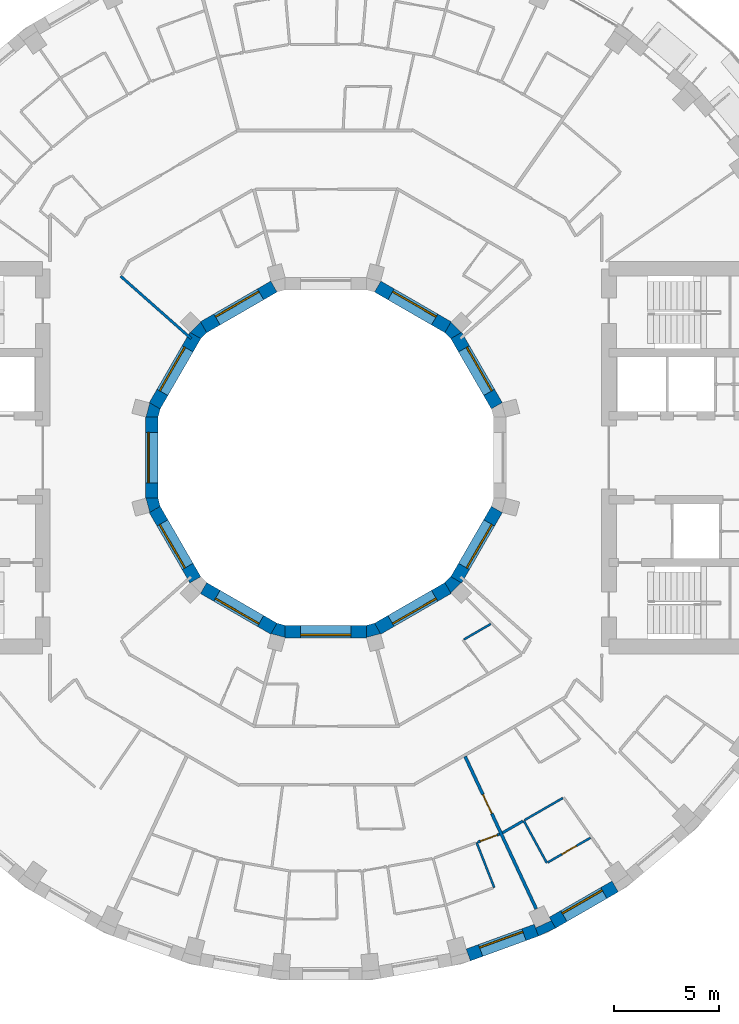
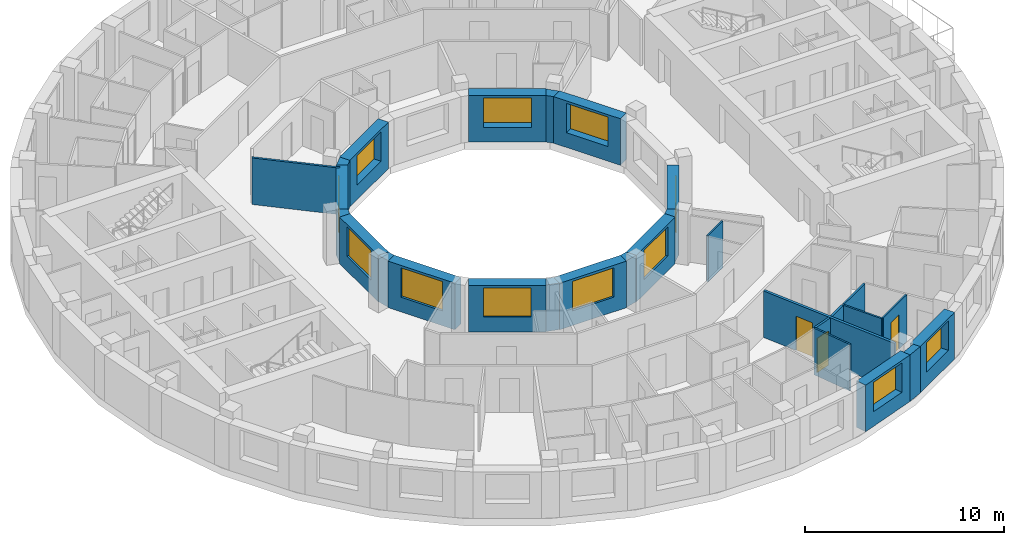
# One storey, part 7 of 15: 29 walls, 12 windows, 3 doors, 15 openings.
"""IFC4 building model written with IfcOpenShell, lengths in metres."""

from ifc_helpers import new_model, si_unit, direction, frame, frame_2d, origin, place, context, subcontext, project, spatial, polyline, rectangle, outline, extrude, material, layer, layer_set, type_object, element, fill, save


model = new_model("IFC4")

# Units and contexts
model_context = context("Model", 3, precision=1e-05, world=origin(), true_north=direction((0.0, 1.0)))
body_context = subcontext(model_context, "Body", "Model", "MODEL_VIEW")
ifc_project = project(units=[si_unit("LENGTHUNIT", "METRE"), si_unit("AREAUNIT", "SQUARE_METRE"), si_unit("VOLUMEUNIT", "CUBIC_METRE"), si_unit("PLANEANGLEUNIT", "RADIAN"), si_unit("MASSUNIT", "GRAM", prefix="KILO")], contexts=[model_context])

# Site, building, storey
site_placement = place(None, origin())
site = spatial("IfcSite", under=ifc_project, at=site_placement, CompositionType="ELEMENT")
building_placement = place(site_placement, origin())
building = spatial("IfcBuilding", under=site, at=building_placement, Name="Saqina Gate Tower", CompositionType="ELEMENT")
storey_placement = place(building_placement, frame((0.0, 0.0, 193.800048828125)))
storey = spatial("IfcBuildingStorey", under=building, at=storey_placement, Name="L55", CompositionType="ELEMENT", Elevation=193.800048828125)

# Wall
ifc_material_1 = material(Name="Brick masonry (buff)", Category="masonry")
wall_type_1 = type_object("IfcWallType", Name="BRICK PIER COPING BUFF", PredefinedType="SOLIDWALL", material=ifc_material_1)
wall_1_placement = place(storey_placement, origin())
element("IfcWall", 1, at=wall_1_placement, inside=storey, type_object=wall_type_1, Name="Pier cap L55 column 30", PredefinedType="SOLIDWALL", context=body_context, shape_type="SweptSolid", body=[
    extrude(outline(polyline([(10.958740234375, -22.4306640625), (10.65869140625, -21.9111328125), (10.73779296875, -22.080810546875), (10.0126953125, -22.4189453125), (9.93359375, -22.249267578125), (10.138916015625, -22.81298828125), (10.958740234375, -22.4306640625)])), origin(), (0.0, 0.0, 1.0), 2.849853515625),
])

# Wall, opening, window
ifc_material_2 = material(Name="Brick masonry (buff)", Category="masonry")
ifc_layer_1 = layer(ifc_material_2, 0.60009765625)
ifc_layer_set_1 = layer_set([ifc_layer_1], Name="FW-BRICK-BUFF")
wall_type_2 = type_object("IfcWallType", Name="FW-BRICK-BUFF", PredefinedType="SOLIDWALL", material=ifc_layer_set_1)
wall_2_placement = place(storey_placement, frame((6.79443359375, -23.7109375, 0.0), z_axis=(0.0, 0.0, 1.0), x_axis=(0.93968799822, 0.342032843455, 0.0)))
wall_2 = element("IfcWall", 2, at=wall_2_placement, inside=storey, type_object=wall_type_2, Name="Facade wall L55 facet 29", PredefinedType="SOLIDWALL", context=body_context, shape_type="SweptSolid", body=[
    extrude(rectangle(XDim=3.44970703125, YDim=0.60009765625, at=frame_2d((1.724853515625, 0.0))), origin(), (0.0, 0.0, 1.0), 2.849853515625),
])
opening_1_placement = place(wall_2_placement, frame((0.625, 0.0, 0.89990234375)))
opening_1 = element("IfcOpeningElement", 3, at=opening_1_placement, cuts=wall_2, Name="Opening G16-W18", PredefinedType="OPENING", context=body_context, shape_type="SweptSolid", body=[
    extrude(rectangle(XDim=2.199951171875, YDim=1.800048828125, at=frame_2d((1.10009765625, 0.89990234375))), frame((0.0, 0.31201171875, 0.0), z_axis=(0.0, -1.0, 0.0), x_axis=(1.0, 0.0, 0.0)), (0.0, 0.0, 1.0), 0.6240234375),
])
ifc_material_3 = material(Name="Aluminium glazing", Category="aluminium")
window_type_1 = type_object("IfcWindowType", Name="WN-C", PartitioningType="SINGLE_PANEL", PredefinedType="WINDOW", material=ifc_material_3)
window_1_placement = place(opening_1_placement, origin())
window_1 = element("IfcWindow", 4, at=window_1_placement, inside=storey, type_object=window_type_1, Name="Window L55 facet 29", OverallHeight=1.800048828125, OverallWidth=2.199951171875, PartitioningType="SINGLE_PANEL", PredefinedType="WINDOW", context=body_context, shape_type="SweptSolid", body=[
    extrude(rectangle(XDim=2.199951171875, YDim=1.800048828125, at=frame_2d((1.10009765625, 0.89990234375))), frame((0.0, 0.179931640625, 0.0), z_axis=(0.0, -1.0, 0.0), x_axis=(1.0, 0.0, 0.0)), (0.0, 0.0, 1.0), 0.06005859375),
])
fill(opening_1, window_1)

wall_3_placement = place(storey_placement, frame((10.80859375, -22.1708984375, 0.0), z_axis=(0.0, 0.0, 1.0), x_axis=(0.86602648383, 0.499998129301, 0.0)))
wall_3 = element("IfcWall", 5, at=wall_3_placement, inside=storey, type_object=wall_type_2, Name="Facade wall L55 facet 30", PredefinedType="SOLIDWALL", context=body_context, shape_type="SweptSolid", body=[
    extrude(rectangle(XDim=3.44970703125, YDim=0.60009765625, at=frame_2d((1.724853515625, 0.0))), origin(), (0.0, 0.0, 1.0), 2.849853515625),
])
opening_2_placement = place(wall_3_placement, frame((0.625, 0.0, 0.89990234375)))
opening_2 = element("IfcOpeningElement", 6, at=opening_2_placement, cuts=wall_3, Name="Opening G16-W19", PredefinedType="OPENING", context=body_context, shape_type="SweptSolid", body=[
    extrude(rectangle(XDim=2.199951171875, YDim=1.800048828125, at=frame_2d((1.10009765625, 0.89990234375))), frame((0.0, 0.31201171875, 0.0), z_axis=(0.0, -1.0, 0.0), x_axis=(1.0, 0.0, 0.0)), (0.0, 0.0, 1.0), 0.6240234375),
])
window_2_placement = place(opening_2_placement, origin())
window_2 = element("IfcWindow", 7, at=window_2_placement, inside=storey, type_object=window_type_1, Name="Window L55 facet 30", OverallHeight=1.800048828125, OverallWidth=2.199951171875, PartitioningType="SINGLE_PANEL", PredefinedType="WINDOW", context=body_context, shape_type="SweptSolid", body=[
    extrude(rectangle(XDim=2.199951171875, YDim=1.800048828125, at=frame_2d((1.10009765625, 0.89990234375))), frame((0.0, 0.179931640625, 0.0), z_axis=(0.0, -1.0, 0.0), x_axis=(1.0, 0.0, 0.0)), (0.0, 0.0, 1.0), 0.06005859375),
])
fill(opening_2, window_2)

ifc_material_4 = material(Name="Glazed ceramic tile", Category="ceramic")
ifc_layer_2 = layer(ifc_material_4, 0.60009765625)
ifc_layer_set_2 = layer_set([ifc_layer_2], Name="IW-TILE")
wall_type_3 = type_object("IfcWallType", Name="IW-TILE", PredefinedType="SOLIDWALL", material=ifc_layer_set_2)
wall_4_placement = place(storey_placement, frame((8.155517578125, 2.474365234375, 0.0), z_axis=(0.0, 0.0, 1.0), x_axis=(-0.500033728941, 0.866005929495, 0.0)))
wall_4 = element("IfcWall", 8, at=wall_4_placement, inside=storey, type_object=wall_type_3, Name="Well wall L55 facet 1", PredefinedType="SOLIDWALL", context=body_context, shape_type="SweptSolid", body=[
    extrude(rectangle(XDim=3.869873046875, YDim=0.60009765625, at=frame_2d((1.93505859375, 0.0))), origin(), (0.0, 0.0, 1.0), 2.849853515625),
])
opening_3_placement = place(wall_4_placement, frame((0.73486328125, 0.0, 0.89990234375)))
opening_3 = element("IfcOpeningElement", 9, at=opening_3_placement, cuts=wall_4, Name="Opening G16-W23", PredefinedType="OPENING", context=body_context, shape_type="SweptSolid", body=[
    extrude(rectangle(XDim=2.39990234375, YDim=1.800048828125, at=frame_2d((1.199951171875, 0.89990234375))), frame((0.0, 0.31201171875, 0.0), z_axis=(0.0, -1.0, 0.0), x_axis=(1.0, 0.0, 0.0)), (0.0, 0.0, 1.0), 0.6240234375),
])
ifc_material_5 = material(Name="Aluminium glazing", Category="aluminium")
window_type_2 = type_object("IfcWindowType", Name="WN-W", PartitioningType="SINGLE_PANEL", PredefinedType="WINDOW", material=ifc_material_5)
window_3_placement = place(opening_3_placement, origin())
window_3 = element("IfcWindow", 10, at=window_3_placement, inside=storey, type_object=window_type_2, Name="Well window L55 facet 1", OverallHeight=1.800048828125, OverallWidth=2.39990234375, PartitioningType="SINGLE_PANEL", PredefinedType="WINDOW", context=body_context, shape_type="SweptSolid", body=[
    extrude(rectangle(XDim=2.39990234375, YDim=1.800048828125, at=frame_2d((1.199951171875, 0.89990234375))), frame((0.0, -0.119873046875, 0.0), z_axis=(0.0, -1.0, 0.0), x_axis=(1.0, 0.0, 0.0)), (0.0, 0.0, 1.0), 0.06005859375),
])
fill(opening_3, window_3)

wall_5_placement = place(storey_placement, frame((5.82568359375, 6.220458984375, 0.0), z_axis=(0.0, 0.0, 1.0), x_axis=(-0.866005929495, 0.500033728941, 0.0)))
wall_5 = element("IfcWall", 11, at=wall_5_placement, inside=storey, type_object=wall_type_3, Name="Well wall L55 facet 2", PredefinedType="SOLIDWALL", context=body_context, shape_type="SweptSolid", body=[
    extrude(rectangle(XDim=3.869873046875, YDim=0.60009765625, at=frame_2d((1.93505859375, 0.0))), origin(), (0.0, 0.0, 1.0), 2.849853515625),
])
opening_4_placement = place(wall_5_placement, frame((0.73486328125, 0.0, 0.89990234375)))
opening_4 = element("IfcOpeningElement", 12, at=opening_4_placement, cuts=wall_5, Name="Opening G16-W24", PredefinedType="OPENING", context=body_context, shape_type="SweptSolid", body=[
    extrude(rectangle(XDim=2.39990234375, YDim=1.800048828125, at=frame_2d((1.199951171875, 0.89990234375))), frame((0.0, 0.31201171875, 0.0), z_axis=(0.0, -1.0, 0.0), x_axis=(1.0, 0.0, 0.0)), (0.0, 0.0, 1.0), 0.6240234375),
])
window_4_placement = place(opening_4_placement, origin())
window_4 = element("IfcWindow", 13, at=window_4_placement, inside=storey, type_object=window_type_2, Name="Well window L55 facet 2", OverallHeight=1.800048828125, OverallWidth=2.39990234375, PartitioningType="SINGLE_PANEL", PredefinedType="WINDOW", context=body_context, shape_type="SweptSolid", body=[
    extrude(rectangle(XDim=2.39990234375, YDim=1.800048828125, at=frame_2d((1.199951171875, 0.89990234375))), frame((0.0, -0.119873046875, 0.0), z_axis=(0.0, -1.0, 0.0), x_axis=(1.0, 0.0, 0.0)), (0.0, 0.0, 1.0), 0.06005859375),
])
fill(opening_4, window_4)

wall_6_placement = place(storey_placement, frame((-2.474365234375, 8.155517578125, 0.0), z_axis=(0.0, 0.0, 1.0), x_axis=(-0.866005929495, -0.500033728941, 0.0)))
wall_6 = element("IfcWall", 14, at=wall_6_placement, inside=storey, type_object=wall_type_3, Name="Well wall L55 facet 4", PredefinedType="SOLIDWALL", context=body_context, shape_type="SweptSolid", body=[
    extrude(rectangle(XDim=3.869873046875, YDim=0.60009765625, at=frame_2d((1.93505859375, 0.0))), origin(), (0.0, 0.0, 1.0), 2.849853515625),
])
opening_5_placement = place(wall_6_placement, frame((0.73486328125, 0.0, 0.89990234375)))
opening_5 = element("IfcOpeningElement", 15, at=opening_5_placement, cuts=wall_6, Name="Opening G16-W26", PredefinedType="OPENING", context=body_context, shape_type="SweptSolid", body=[
    extrude(rectangle(XDim=2.39990234375, YDim=1.800048828125, at=frame_2d((1.199951171875, 0.89990234375))), frame((0.0, 0.31201171875, 0.0), z_axis=(0.0, -1.0, 0.0), x_axis=(1.0, 0.0, 0.0)), (0.0, 0.0, 1.0), 0.6240234375),
])
window_5_placement = place(opening_5_placement, origin())
window_5 = element("IfcWindow", 16, at=window_5_placement, inside=storey, type_object=window_type_2, Name="Well window L55 facet 4", OverallHeight=1.800048828125, OverallWidth=2.39990234375, PartitioningType="SINGLE_PANEL", PredefinedType="WINDOW", context=body_context, shape_type="SweptSolid", body=[
    extrude(rectangle(XDim=2.39990234375, YDim=1.800048828125, at=frame_2d((1.199951171875, 0.89990234375))), frame((0.0, -0.119873046875, 0.0), z_axis=(0.0, -1.0, 0.0), x_axis=(1.0, 0.0, 0.0)), (0.0, 0.0, 1.0), 0.06005859375),
])
fill(opening_5, window_5)

wall_7_placement = place(storey_placement, frame((-6.220458984375, 5.82568359375, 0.0), z_axis=(0.0, 0.0, 1.0), x_axis=(-0.500033728941, -0.866005929495, 0.0)))
wall_7 = element("IfcWall", 17, at=wall_7_placement, inside=storey, type_object=wall_type_3, Name="Well wall L55 facet 5", PredefinedType="SOLIDWALL", context=body_context, shape_type="SweptSolid", body=[
    extrude(rectangle(XDim=3.869873046875, YDim=0.60009765625, at=frame_2d((1.93505859375, 0.0))), origin(), (0.0, 0.0, 1.0), 2.849853515625),
])
opening_6_placement = place(wall_7_placement, frame((0.73486328125, 0.0, 0.89990234375)))
opening_6 = element("IfcOpeningElement", 18, at=opening_6_placement, cuts=wall_7, Name="Opening G16-W27", PredefinedType="OPENING", context=body_context, shape_type="SweptSolid", body=[
    extrude(rectangle(XDim=2.39990234375, YDim=1.800048828125, at=frame_2d((1.199951171875, 0.89990234375))), frame((0.0, 0.31201171875, 0.0), z_axis=(0.0, -1.0, 0.0), x_axis=(1.0, 0.0, 0.0)), (0.0, 0.0, 1.0), 0.6240234375),
])
window_6_placement = place(opening_6_placement, origin())
window_6 = element("IfcWindow", 19, at=window_6_placement, inside=storey, type_object=window_type_2, Name="Well window L55 facet 5", OverallHeight=1.800048828125, OverallWidth=2.39990234375, PartitioningType="SINGLE_PANEL", PredefinedType="WINDOW", context=body_context, shape_type="SweptSolid", body=[
    extrude(rectangle(XDim=2.39990234375, YDim=1.800048828125, at=frame_2d((1.199951171875, 0.89990234375))), frame((0.0, -0.119873046875, 0.0), z_axis=(0.0, -1.0, 0.0), x_axis=(1.0, 0.0, 0.0)), (0.0, 0.0, 1.0), 0.06005859375),
])
fill(opening_6, window_6)

wall_8_placement = place(storey_placement, frame((-8.300048828125, 1.934814453125, 0.0), z_axis=(0.0, 0.0, 1.0), x_axis=(0.0, -1.0, 0.0)))
wall_8 = element("IfcWall", 20, at=wall_8_placement, inside=storey, type_object=wall_type_3, Name="Well wall L55 facet 6", PredefinedType="SOLIDWALL", context=body_context, shape_type="SweptSolid", body=[
    extrude(rectangle(XDim=3.86962890625, YDim=0.60009765625, at=frame_2d((1.934814453125, 0.0))), origin(), (0.0, 0.0, 1.0), 2.849853515625),
])
opening_7_placement = place(wall_8_placement, frame((0.73486328125, 0.0, 0.89990234375)))
opening_7 = element("IfcOpeningElement", 21, at=opening_7_placement, cuts=wall_8, Name="Opening G16-W28", PredefinedType="OPENING", context=body_context, shape_type="SweptSolid", body=[
    extrude(rectangle(XDim=2.39990234375, YDim=1.800048828125, at=frame_2d((1.199951171875, 0.89990234375))), frame((0.0, 0.31201171875, 0.0), z_axis=(0.0, -1.0, 0.0), x_axis=(1.0, 0.0, 0.0)), (0.0, 0.0, 1.0), 0.6240234375),
])
window_7_placement = place(opening_7_placement, origin())
window_7 = element("IfcWindow", 22, at=window_7_placement, inside=storey, type_object=window_type_2, Name="Well window L55 facet 6", OverallHeight=1.800048828125, OverallWidth=2.39990234375, PartitioningType="SINGLE_PANEL", PredefinedType="WINDOW", context=body_context, shape_type="SweptSolid", body=[
    extrude(rectangle(XDim=2.39990234375, YDim=1.800048828125, at=frame_2d((1.199951171875, 0.89990234375))), frame((0.0, -0.119873046875, 0.0), z_axis=(0.0, -1.0, 0.0), x_axis=(1.0, 0.0, 0.0)), (0.0, 0.0, 1.0), 0.06005859375),
])
fill(opening_7, window_7)

wall_9_placement = place(storey_placement, frame((-8.155517578125, -2.474365234375, 0.0), z_axis=(0.0, 0.0, 1.0), x_axis=(0.500033728941, -0.866005929495, 0.0)))
wall_9 = element("IfcWall", 23, at=wall_9_placement, inside=storey, type_object=wall_type_3, Name="Well wall L55 facet 7", PredefinedType="SOLIDWALL", context=body_context, shape_type="SweptSolid", body=[
    extrude(rectangle(XDim=3.869873046875, YDim=0.60009765625, at=frame_2d((1.93505859375, 0.0))), origin(), (0.0, 0.0, 1.0), 2.849853515625),
])
opening_8_placement = place(wall_9_placement, frame((0.73486328125, 0.0, 0.89990234375)))
opening_8 = element("IfcOpeningElement", 24, at=opening_8_placement, cuts=wall_9, Name="Opening G16-W29", PredefinedType="OPENING", context=body_context, shape_type="SweptSolid", body=[
    extrude(rectangle(XDim=2.39990234375, YDim=1.800048828125, at=frame_2d((1.199951171875, 0.89990234375))), frame((0.0, 0.31201171875, 0.0), z_axis=(0.0, -1.0, 0.0), x_axis=(1.0, 0.0, 0.0)), (0.0, 0.0, 1.0), 0.6240234375),
])
window_8_placement = place(opening_8_placement, origin())
window_8 = element("IfcWindow", 25, at=window_8_placement, inside=storey, type_object=window_type_2, Name="Well window L55 facet 7", OverallHeight=1.800048828125, OverallWidth=2.39990234375, PartitioningType="SINGLE_PANEL", PredefinedType="WINDOW", context=body_context, shape_type="SweptSolid", body=[
    extrude(rectangle(XDim=2.39990234375, YDim=1.800048828125, at=frame_2d((1.199951171875, 0.89990234375))), frame((0.0, -0.119873046875, 0.0), z_axis=(0.0, -1.0, 0.0), x_axis=(1.0, 0.0, 0.0)), (0.0, 0.0, 1.0), 0.06005859375),
])
fill(opening_8, window_8)

wall_10_placement = place(storey_placement, frame((-5.82568359375, -6.220458984375, 0.0), z_axis=(0.0, 0.0, 1.0), x_axis=(0.866005929495, -0.500033728941, 0.0)))
wall_10 = element("IfcWall", 26, at=wall_10_placement, inside=storey, type_object=wall_type_3, Name="Well wall L55 facet 8", PredefinedType="SOLIDWALL", context=body_context, shape_type="SweptSolid", body=[
    extrude(rectangle(XDim=3.869873046875, YDim=0.60009765625, at=frame_2d((1.93505859375, 0.0))), origin(), (0.0, 0.0, 1.0), 2.849853515625),
])
opening_9_placement = place(wall_10_placement, frame((0.73486328125, 0.0, 0.89990234375)))
opening_9 = element("IfcOpeningElement", 27, at=opening_9_placement, cuts=wall_10, Name="Opening G16-W30", PredefinedType="OPENING", context=body_context, shape_type="SweptSolid", body=[
    extrude(rectangle(XDim=2.39990234375, YDim=1.800048828125, at=frame_2d((1.199951171875, 0.89990234375))), frame((0.0, 0.31201171875, 0.0), z_axis=(0.0, -1.0, 0.0), x_axis=(1.0, 0.0, 0.0)), (0.0, 0.0, 1.0), 0.6240234375),
])
window_9_placement = place(opening_9_placement, origin())
window_9 = element("IfcWindow", 28, at=window_9_placement, inside=storey, type_object=window_type_2, Name="Well window L55 facet 8", OverallHeight=1.800048828125, OverallWidth=2.39990234375, PartitioningType="SINGLE_PANEL", PredefinedType="WINDOW", context=body_context, shape_type="SweptSolid", body=[
    extrude(rectangle(XDim=2.39990234375, YDim=1.800048828125, at=frame_2d((1.199951171875, 0.89990234375))), frame((0.0, -0.119873046875, 0.0), z_axis=(0.0, -1.0, 0.0), x_axis=(1.0, 0.0, 0.0)), (0.0, 0.0, 1.0), 0.06005859375),
])
fill(opening_9, window_9)

wall_11_placement = place(storey_placement, frame((-1.934814453125, -8.300048828125, 0.0), z_axis=(0.0, 0.0, 1.0), x_axis=(1.0, 0.0, 0.0)))
wall_11 = element("IfcWall", 29, at=wall_11_placement, inside=storey, type_object=wall_type_3, Name="Well wall L55 facet 9", PredefinedType="SOLIDWALL", context=body_context, shape_type="SweptSolid", body=[
    extrude(rectangle(XDim=3.86962890625, YDim=0.60009765625, at=frame_2d((1.934814453125, 0.0))), origin(), (0.0, 0.0, 1.0), 2.849853515625),
])
opening_10_placement = place(wall_11_placement, frame((0.73486328125, 0.0, 0.89990234375)))
opening_10 = element("IfcOpeningElement", 30, at=opening_10_placement, cuts=wall_11, Name="Opening G16-W31", PredefinedType="OPENING", context=body_context, shape_type="SweptSolid", body=[
    extrude(rectangle(XDim=2.39990234375, YDim=1.800048828125, at=frame_2d((1.199951171875, 0.89990234375))), frame((0.0, 0.31201171875, 0.0), z_axis=(0.0, -1.0, 0.0), x_axis=(1.0, 0.0, 0.0)), (0.0, 0.0, 1.0), 0.6240234375),
])
window_10_placement = place(opening_10_placement, origin())
window_10 = element("IfcWindow", 31, at=window_10_placement, inside=storey, type_object=window_type_2, Name="Well window L55 facet 9", OverallHeight=1.800048828125, OverallWidth=2.39990234375, PartitioningType="SINGLE_PANEL", PredefinedType="WINDOW", context=body_context, shape_type="SweptSolid", body=[
    extrude(rectangle(XDim=2.39990234375, YDim=1.800048828125, at=frame_2d((1.199951171875, 0.89990234375))), frame((0.0, -0.119873046875, 0.0), z_axis=(0.0, -1.0, 0.0), x_axis=(1.0, 0.0, 0.0)), (0.0, 0.0, 1.0), 0.06005859375),
])
fill(opening_10, window_10)

wall_12_placement = place(storey_placement, frame((2.474365234375, -8.155517578125, 0.0), z_axis=(0.0, 0.0, 1.0), x_axis=(0.866005929495, 0.500033728941, 0.0)))
wall_12 = element("IfcWall", 32, at=wall_12_placement, inside=storey, type_object=wall_type_3, Name="Well wall L55 facet 10", PredefinedType="SOLIDWALL", context=body_context, shape_type="SweptSolid", body=[
    extrude(rectangle(XDim=3.869873046875, YDim=0.60009765625, at=frame_2d((1.93505859375, 0.0))), origin(), (0.0, 0.0, 1.0), 2.849853515625),
])
opening_11_placement = place(wall_12_placement, frame((0.73486328125, 0.0, 0.89990234375)))
opening_11 = element("IfcOpeningElement", 33, at=opening_11_placement, cuts=wall_12, Name="Opening G16-W32", PredefinedType="OPENING", context=body_context, shape_type="SweptSolid", body=[
    extrude(rectangle(XDim=2.39990234375, YDim=1.800048828125, at=frame_2d((1.199951171875, 0.89990234375))), frame((0.0, 0.31201171875, 0.0), z_axis=(0.0, -1.0, 0.0), x_axis=(1.0, 0.0, 0.0)), (0.0, 0.0, 1.0), 0.6240234375),
])
window_11_placement = place(opening_11_placement, origin())
window_11 = element("IfcWindow", 34, at=window_11_placement, inside=storey, type_object=window_type_2, Name="Well window L55 facet 10", OverallHeight=1.800048828125, OverallWidth=2.39990234375, PartitioningType="SINGLE_PANEL", PredefinedType="WINDOW", context=body_context, shape_type="SweptSolid", body=[
    extrude(rectangle(XDim=2.39990234375, YDim=1.800048828125, at=frame_2d((1.199951171875, 0.89990234375))), frame((0.0, -0.119873046875, 0.0), z_axis=(0.0, -1.0, 0.0), x_axis=(1.0, 0.0, 0.0)), (0.0, 0.0, 1.0), 0.06005859375),
])
fill(opening_11, window_11)

wall_13_placement = place(storey_placement, frame((6.220458984375, -5.82568359375, 0.0), z_axis=(0.0, 0.0, 1.0), x_axis=(0.500033728941, 0.866005929495, 0.0)))
wall_13 = element("IfcWall", 35, at=wall_13_placement, inside=storey, type_object=wall_type_3, Name="Well wall L55 facet 11", PredefinedType="SOLIDWALL", context=body_context, shape_type="SweptSolid", body=[
    extrude(rectangle(XDim=3.869873046875, YDim=0.60009765625, at=frame_2d((1.93505859375, 0.0))), origin(), (0.0, 0.0, 1.0), 2.849853515625),
])
opening_12_placement = place(wall_13_placement, frame((0.73486328125, 0.0, 0.89990234375)))
opening_12 = element("IfcOpeningElement", 36, at=opening_12_placement, cuts=wall_13, Name="Opening G16-W33", PredefinedType="OPENING", context=body_context, shape_type="SweptSolid", body=[
    extrude(rectangle(XDim=2.39990234375, YDim=1.800048828125, at=frame_2d((1.199951171875, 0.89990234375))), frame((0.0, 0.31201171875, 0.0), z_axis=(0.0, -1.0, 0.0), x_axis=(1.0, 0.0, 0.0)), (0.0, 0.0, 1.0), 0.6240234375),
])
window_12_placement = place(opening_12_placement, origin())
window_12 = element("IfcWindow", 37, at=window_12_placement, inside=storey, type_object=window_type_2, Name="Well window L55 facet 11", OverallHeight=1.800048828125, OverallWidth=2.39990234375, PartitioningType="SINGLE_PANEL", PredefinedType="WINDOW", context=body_context, shape_type="SweptSolid", body=[
    extrude(rectangle(XDim=2.39990234375, YDim=1.800048828125, at=frame_2d((1.199951171875, 0.89990234375))), frame((0.0, -0.119873046875, 0.0), z_axis=(0.0, -1.0, 0.0), x_axis=(1.0, 0.0, 0.0)), (0.0, 0.0, 1.0), 0.06005859375),
])
fill(opening_12, window_12)

# Walls
ifc_material_6 = material(Name="Gypsum board on steel studs, 100 mm", Category="steel")
ifc_layer_3 = layer(ifc_material_6, 0.10009765625)
ifc_layer_set_3 = layer_set([ifc_layer_3], Name="PARTITION 100")
wall_type_4 = type_object("IfcWallType", Name="PARTITION 100", PredefinedType="PARTITIONING", material=ifc_layer_set_3)
wall_14_placement = place(storey_placement, frame((7.19091796875, -18.35205078125, 0.0), z_axis=(0.0, 0.0, 1.0), x_axis=(0.364775478286, -0.931095510912, 0.0)))
element("IfcWall", 38, at=wall_14_placement, inside=storey, type_object=wall_type_4, Name="PARTITION PW3-11", PredefinedType="PARTITIONING", context=body_context, shape_type="SweptSolid", body=[
    extrude(rectangle(XDim=2.30029296875, YDim=0.10009765625, at=frame_2d((1.150146484375, 0.0))), origin(), (0.0, 0.0, 1.0), 2.849853515625),
])
wall_15_placement = place(storey_placement, frame((9.43603515625, -17.304931640625, 0.0), z_axis=(0.0, 0.0, 1.0), x_axis=(0.478926465157, -0.877855022753, 0.0)))
element("IfcWall", 39, at=wall_15_placement, inside=storey, type_object=wall_type_4, Name="PARTITION PW3-15", PredefinedType="PARTITIONING", context=body_context, shape_type="SweptSolid", body=[
    extrude(rectangle(XDim=2.301025390625, YDim=0.10009765625, at=frame_2d((1.150390625, 0.0))), origin(), (0.0, 0.0, 1.0), 2.849853515625),
])

# Wall, opening, door
wall_16_placement = place(storey_placement, frame((10.581298828125, -19.300048828125, 0.0), z_axis=(0.0, 0.0, 1.0), x_axis=(0.866009076391, 0.500028278809, 0.0)))
wall_16 = element("IfcWall", 40, at=wall_16_placement, inside=storey, type_object=wall_type_4, Name="PARTITION PW3-67", PredefinedType="PARTITIONING", context=body_context, shape_type="SweptSolid", body=[
    extrude(rectangle(XDim=2.349365234375, YDim=0.10009765625, at=frame_2d((1.1748046875, 0.0))), origin(), (0.0, 0.0, 1.0), 2.849853515625),
])
opening_13_placement = place(wall_16_placement, frame((0.781005859375, 0.0, 0.0)))
opening_13 = element("IfcOpeningElement", 41, at=opening_13_placement, cuts=wall_16, Name="Opening G16-D55", PredefinedType="OPENING", context=body_context, shape_type="SweptSolid", body=[
    extrude(rectangle(XDim=0.800048828125, YDim=2.10009765625, at=frame_2d((0.39990234375, 1.050048828125))), frame((0.0, 0.06201171875, 0.0), z_axis=(0.0, -1.0, 0.0), x_axis=(1.0, 0.0, 0.0)), (0.0, 0.0, 1.0), 0.1240234375),
])
ifc_material_7 = material(Name="Timber door leaf, 800 mm", Category="wood")
door_type_1 = type_object("IfcDoorType", Name="DOOR 800 TIMBER", OperationType="SINGLE_SWING_LEFT", PredefinedType="DOOR", material=ifc_material_7)
door_1_placement = place(opening_13_placement, frame((0.800048828125, 0.0, 0.0), z_axis=(0.0, 0.0, 1.0), x_axis=(-1.0, 0.0, 0.0)))
door_1 = element("IfcDoor", 42, at=door_1_placement, inside=storey, type_object=door_type_1, Name="DOOR G16-D55", OperationType="SINGLE_SWING_LEFT", OverallHeight=2.10009765625, OverallWidth=0.800048828125, PredefinedType="DOOR", context=body_context, shape_type="SweptSolid", body=[
    extrude(rectangle(XDim=0.800048828125, YDim=2.10009765625, at=frame_2d((0.39990234375, 1.050048828125))), frame((0.0, 0.02490234375, 0.0), z_axis=(0.0, -1.0, 0.0), x_axis=(1.0, 0.0, 0.0)), (0.0, 0.0, 1.0), 0.050048828125),
])
fill(opening_13, door_1)

# Walls
wall_17_placement = place(storey_placement, frame((9.479248046875, -17.280029296875, 0.0), z_axis=(0.0, 0.0, 1.0), x_axis=(0.86606956535, 0.499923502123, 0.0)))
element("IfcWall", 43, at=wall_17_placement, inside=storey, type_object=wall_type_4, Name="PARTITION PW3-68", PredefinedType="PARTITIONING", context=body_context, shape_type="SweptSolid", body=[
    extrude(rectangle(XDim=2.102294921875, YDim=0.10009765625, at=frame_2d((1.05126953125, 0.0))), origin(), (0.0, 0.0, 1.0), 2.849853515625),
])
wall_18_placement = place(storey_placement, frame((6.582275390625, -8.6708984375, 0.0), z_axis=(0.0, 0.0, 1.0), x_axis=(0.86582534463, 0.500346352636, 0.0)))
element("IfcWall", 44, at=wall_18_placement, inside=storey, type_object=wall_type_4, Name="PARTITION PW3-70", PredefinedType="PARTITIONING", context=body_context, shape_type="SweptSolid", body=[
    extrude(rectangle(XDim=1.47900390625, YDim=0.10009765625, at=frame_2d((0.739501953125, 0.0))), origin(), (0.0, 0.0, 1.0), 2.849853515625),
])
ifc_material_8 = material(Name="Gypsum board on steel studs, 125 mm, fire rated", Category="steel")
ifc_layer_4 = layer(ifc_material_8, 0.125)
ifc_layer_set_4 = layer_set([ifc_layer_4], Name="PARTITION EI 30 125")
wall_type_5 = type_object("IfcWallType", Name="PARTITION EI 30 125", PredefinedType="PARTITIONING", material=ifc_layer_set_4)
wall_19_placement = place(storey_placement, frame((-9.783935546875, 8.654052734375, 0.0), z_axis=(0.0, 0.0, 1.0), x_axis=(0.74898514635, -0.662586787181, 0.0)))
element("IfcWall", 45, at=wall_19_placement, inside=storey, type_object=wall_type_5, Name="PARTITION PW1-09", PredefinedType="PARTITIONING", context=body_context, shape_type="SweptSolid", body=[
    extrude(rectangle(XDim=4.490234375, YDim=0.125, at=frame_2d((2.2451171875, 0.0))), origin(), (0.0, 0.0, 1.0), 2.849853515625),
])

# Wall, opening, door
wall_20_placement = place(storey_placement, frame((7.238037109375, -18.3349609375, 0.0), z_axis=(0.0, 0.0, 1.0), x_axis=(0.939704125186, 0.341988533591, 0.0)))
wall_20 = element("IfcWall", 46, at=wall_20_placement, inside=storey, type_object=wall_type_5, Name="PARTITION PW1-30", PredefinedType="PARTITIONING", context=body_context, shape_type="SweptSolid", body=[
    extrude(rectangle(XDim=1.117919921875, YDim=0.125, at=frame_2d((0.55908203125, 0.0))), origin(), (0.0, 0.0, 1.0), 2.849853515625),
])
opening_14_placement = place(wall_20_placement, frame((0.146484375, 0.0, 0.0)))
opening_14 = element("IfcOpeningElement", 47, at=opening_14_placement, cuts=wall_20, Name="Opening G16-D52", PredefinedType="OPENING", context=body_context, shape_type="SweptSolid", body=[
    extrude(rectangle(XDim=0.85009765625, YDim=2.10009765625, at=frame_2d((0.425048828125, 1.050048828125))), frame((0.0, 0.074462890625, 0.0), z_axis=(0.0, -1.0, 0.0), x_axis=(1.0, 0.0, 0.0)), (0.0, 0.0, 1.0), 0.14892578125),
])
ifc_material_9 = material(Name="Fire door leaf EI 30, 850 mm")
door_type_2 = type_object("IfcDoorType", Name="DOOR 850 EI 30", OperationType="SINGLE_SWING_LEFT", PredefinedType="DOOR", material=ifc_material_9)
door_2_placement = place(opening_14_placement, origin())
door_2 = element("IfcDoor", 48, at=door_2_placement, inside=storey, type_object=door_type_2, Name="DOOR G16-D52", OperationType="SINGLE_SWING_RIGHT", OverallHeight=2.10009765625, OverallWidth=0.85009765625, PredefinedType="DOOR", context=body_context, shape_type="SweptSolid", body=[
    extrude(rectangle(XDim=0.85009765625, YDim=2.10009765625, at=frame_2d((0.425048828125, 1.050048828125))), frame((0.0, 0.02490234375, 0.0), z_axis=(0.0, -1.0, 0.0), x_axis=(1.0, 0.0, 0.0)), (0.0, 0.0, 1.0), 0.050048828125),
])
fill(opening_14, door_2)

# Wall
wall_21_placement = place(storey_placement, frame((8.423828125, -17.889404296875, 0.0), z_axis=(0.0, 0.0, 1.0), x_axis=(0.86607294768, 0.499917642513, 0.0)))
element("IfcWall", 49, at=wall_21_placement, inside=storey, type_object=wall_type_5, Name="PARTITION PW1-32", PredefinedType="PARTITIONING", context=body_context, shape_type="SweptSolid", body=[
    extrude(rectangle(XDim=1.118896484375, YDim=0.125, at=frame_2d((0.5595703125, 0.0))), origin(), (0.0, 0.0, 1.0), 2.849853515625),
])

# Wall, opening, door
ifc_material_10 = material(Name="Gypsum board on steel studs, 150 mm, fire rated", Category="steel")
ifc_layer_5 = layer(ifc_material_10, 0.14990234375)
ifc_layer_set_5 = layer_set([ifc_layer_5], Name="PARTITION EI 60 150")
wall_type_6 = type_object("IfcWallType", Name="PARTITION EI 60 150", PredefinedType="PARTITIONING", material=ifc_layer_set_5)
wall_22_placement = place(storey_placement, frame((6.64453125, -14.2490234375, 0.0), z_axis=(0.0, 0.0, 1.0), x_axis=(0.422700425591, -0.90626946887, 0.0)))
wall_22 = element("IfcWall", 50, at=wall_22_placement, inside=storey, type_object=wall_type_6, Name="PARTITION PW2-04", PredefinedType="PARTITIONING", context=body_context, shape_type="SweptSolid", body=[
    extrude(rectangle(XDim=8.017822265625, YDim=0.14990234375, at=frame_2d((4.0087890625, 0.0))), origin(), (0.0, 0.0, 1.0), 2.849853515625),
])
opening_15_placement = place(wall_22_placement, frame((2.00244140625, 0.0, 0.0)))
opening_15 = element("IfcOpeningElement", 51, at=opening_15_placement, cuts=wall_22, Name="Opening G16-D53", PredefinedType="OPENING", context=body_context, shape_type="SweptSolid", body=[
    extrude(rectangle(XDim=1.0, YDim=2.10009765625, at=frame_2d((0.5, 1.050048828125))), frame((0.0, 0.0869140625, 0.0), z_axis=(0.0, -1.0, 0.0), x_axis=(1.0, 0.0, 0.0)), (0.0, 0.0, 1.0), 0.173828125),
])
ifc_material_11 = material(Name="Fire door leaf EI 30, 1000 mm")
door_type_3 = type_object("IfcDoorType", Name="DOOR 1000 EI 30", OperationType="SINGLE_SWING_LEFT", PredefinedType="DOOR", material=ifc_material_11)
door_3_placement = place(opening_15_placement, origin())
door_3 = element("IfcDoor", 52, at=door_3_placement, inside=storey, type_object=door_type_3, Name="DOOR G16-D53", OperationType="SINGLE_SWING_LEFT", OverallHeight=2.10009765625, OverallWidth=1.0, PredefinedType="DOOR", context=body_context, shape_type="SweptSolid", body=[
    extrude(rectangle(XDim=1.0, YDim=2.10009765625, at=frame_2d((0.5, 1.050048828125))), frame((0.0, 0.02490234375, 0.0), z_axis=(0.0, -1.0, 0.0), x_axis=(1.0, 0.0, 0.0)), (0.0, 0.0, 1.0), 0.050048828125),
])
fill(opening_15, door_3)

# Walls
ifc_material_12 = material(Name="Glazed ceramic tile", Category="ceramic")
wall_type_7 = type_object("IfcWallType", Name="TILE PIER COPING", PredefinedType="SOLIDWALL", material=ifc_material_12)
wall_23_placement = place(storey_placement, origin())
element("IfcWall", 53, at=wall_23_placement, inside=storey, type_object=wall_type_7, Name="Well pier cap L55 column 2", PredefinedType="SOLIDWALL", context=body_context, shape_type="SweptSolid", body=[
    extrude(outline(polyline([(5.96240234375, 6.45751953125), (5.67578125, 5.960693359375), (5.960693359375, 5.67578125), (6.45751953125, 5.96240234375), (5.96240234375, 6.45751953125)])), origin(), (0.0, 0.0, 1.0), 2.849853515625),
])
wall_24_placement = place(storey_placement, origin())
element("IfcWall", 54, at=wall_24_placement, inside=storey, type_object=wall_type_7, Name="Well pier cap L55 column 5", PredefinedType="SOLIDWALL", context=body_context, shape_type="SweptSolid", body=[
    extrude(outline(polyline([(-6.45751953125, 5.96240234375), (-5.960693359375, 5.67578125), (-5.67578125, 5.960693359375), (-5.96240234375, 6.45751953125), (-6.45751953125, 5.96240234375)])), origin(), (0.0, 0.0, 1.0), 2.849853515625),
])
wall_25_placement = place(storey_placement, origin())
element("IfcWall", 55, at=wall_25_placement, inside=storey, type_object=wall_type_7, Name="Well pier cap L55 column 6", PredefinedType="SOLIDWALL", context=body_context, shape_type="SweptSolid", body=[
    extrude(outline(polyline([(-8.573486328125, 1.934814453125), (-8.0, 1.934814453125), (-7.895751953125, 2.32421875), (-8.392333984375, 2.611083984375), (-8.573486328125, 1.934814453125)])), origin(), (0.0, 0.0, 1.0), 2.849853515625),
])
wall_26_placement = place(storey_placement, origin())
element("IfcWall", 56, at=wall_26_placement, inside=storey, type_object=wall_type_7, Name="Well pier cap L55 column 7", PredefinedType="SOLIDWALL", context=body_context, shape_type="SweptSolid", body=[
    extrude(outline(polyline([(-8.0, -1.934814453125), (-8.573486328125, -1.934814453125), (-8.392333984375, -2.611083984375), (-7.895751953125, -2.32421875), (-8.0, -1.934814453125)])), origin(), (0.0, 0.0, 1.0), 2.849853515625),
])
wall_27_placement = place(storey_placement, origin())
element("IfcWall", 57, at=wall_27_placement, inside=storey, type_object=wall_type_7, Name="Well pier cap L55 column 9", PredefinedType="SOLIDWALL", context=body_context, shape_type="SweptSolid", body=[
    extrude(outline(polyline([(-1.934814453125, -8.573486328125), (-1.934814453125, -8.0), (-2.32421875, -7.895751953125), (-2.611083984375, -8.392333984375), (-1.934814453125, -8.573486328125)])), origin(), (0.0, 0.0, 1.0), 2.849853515625),
])
wall_28_placement = place(storey_placement, origin())
element("IfcWall", 58, at=wall_28_placement, inside=storey, type_object=wall_type_7, Name="Well pier cap L55 column 10", PredefinedType="SOLIDWALL", context=body_context, shape_type="SweptSolid", body=[
    extrude(outline(polyline([(2.611083984375, -8.392333984375), (2.32421875, -7.895751953125), (1.934814453125, -8.0), (1.934814453125, -8.573486328125), (2.611083984375, -8.392333984375)])), origin(), (0.0, 0.0, 1.0), 2.849853515625),
])
wall_29_placement = place(storey_placement, origin())
element("IfcWall", 59, at=wall_29_placement, inside=storey, type_object=wall_type_7, Name="Well pier cap L55 column 11", PredefinedType="SOLIDWALL", context=body_context, shape_type="SweptSolid", body=[
    extrude(outline(polyline([(5.96240234375, -6.45751953125), (6.45751953125, -5.96240234375), (5.960693359375, -5.67578125), (5.67578125, -5.960693359375), (5.96240234375, -6.45751953125)])), origin(), (0.0, 0.0, 1.0), 2.849853515625),
])

save(model, "model.ifc")
